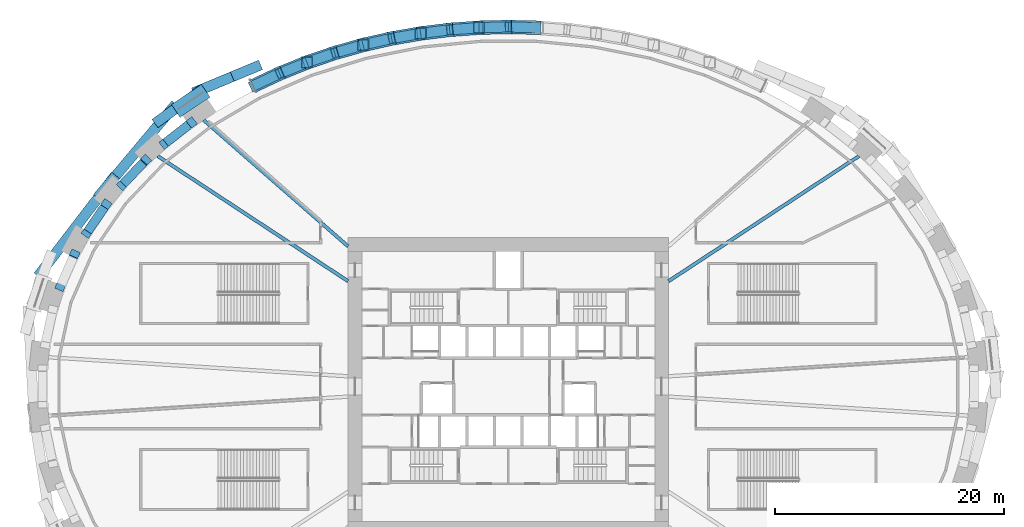
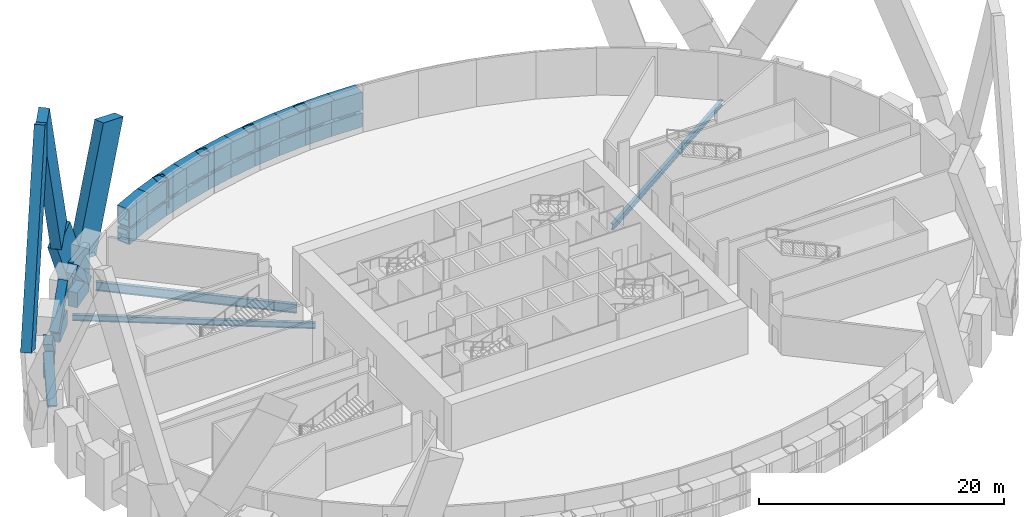
# One storey, part 3 of 16: 43 members, 6 beams.
"""IFC4 building model written with IfcOpenShell, lengths in metres."""

from ifc_helpers import new_model, si_unit, direction, frame, origin, origin_2d, place, context, subcontext, project, spatial, rectangle, hollow_rectangle, i_section, extrude, source, transform, mapped, material, material_profile, profile_set, type_object, element, save


model = new_model("IFC4")

# Units and contexts
model_context = context("Model", 3, precision=1e-05, world=origin(), true_north=direction((0.0, 1.0)))
body_context = subcontext(model_context, "Body", "Model", "MODEL_VIEW")
ifc_project = project(units=[si_unit("LENGTHUNIT", "METRE"), si_unit("AREAUNIT", "SQUARE_METRE"), si_unit("VOLUMEUNIT", "CUBIC_METRE"), si_unit("PLANEANGLEUNIT", "RADIAN"), si_unit("MASSUNIT", "GRAM", prefix="KILO")], contexts=[model_context])

# Site, building, storey
site_placement = place(None, origin())
site = spatial("IfcSite", under=ifc_project, at=site_placement, CompositionType="ELEMENT")
building_placement = place(site_placement, origin())
building = spatial("IfcBuilding", under=site, at=building_placement, Name="Embergate Tower", CompositionType="ELEMENT")
storey_placement = place(building_placement, frame((0.0, 0.0, 24.0)))
storey = spatial("IfcBuildingStorey", under=building, at=storey_placement, Name="L02", CompositionType="ELEMENT", Elevation=24.0)

# Beams
ifc_material_1 = material(Name="Concrete C70", Category="concrete")
ifc_material_profile_1 = material_profile(ifc_material_1, rectangle(XDim=0.800048828125, YDim=1.5, at=origin_2d()), Name="RC 800x1500")
ifc_profile_set_1 = profile_set([ifc_material_profile_1], Name="Concrete C70")
beam_type_1 = type_object("IfcBeamType", Name="Spandrel beam RC 800x1500 C70", PredefinedType="BEAM", material=ifc_profile_set_1)
shared_shape_1 = source(origin(), body_context, "Body", "SweptSolid", [
    extrude(rectangle(XDim=0.800048828125, YDim=1.5, at=origin_2d()), origin(), (0.0, 0.0, 1.0), 2.583251953125),
])
beam_1_placement = place(storey_placement, frame((-35.291015625, 15.675048828125, 0.0), z_axis=(-0.562418587306, -0.826852666836, 0.0), x_axis=(0.826852666836, -0.562418587306, 0.0)))
element("IfcBeam", 1, at=beam_1_placement, inside=storey, type_object=beam_type_1, Name="SPN-L02-18", PredefinedType="BEAM", context=body_context, shape_type="MappedRepresentation", body=[
    mapped(shared_shape_1, transform((0.0, 0.0, 0.0))),
])
shared_shape_2 = source(origin(), body_context, "Body", "SweptSolid", [
    extrude(rectangle(XDim=0.800048828125, YDim=1.5, at=origin_2d()), origin(), (0.0, 0.0, 1.0), 2.577392578125),
])
beam_2_placement = place(storey_placement, frame((-31.87890625, 19.56298828125, 0.0), z_axis=(-0.68985145899, -0.723950940692, 0.0), x_axis=(0.723950940692, -0.68985145899, 0.0)))
element("IfcBeam", 2, at=beam_2_placement, inside=storey, type_object=beam_type_1, Name="SPN-L02-17", PredefinedType="BEAM", context=body_context, shape_type="MappedRepresentation", body=[
    mapped(shared_shape_2, transform((0.0, 0.0, 0.0))),
])
shared_shape_3 = source(origin(), body_context, "Body", "SweptSolid", [
    extrude(rectangle(XDim=0.800048828125, YDim=1.5, at=origin_2d()), origin(), (0.0, 0.0, 1.0), 2.568359375),
])
beam_3_placement = place(storey_placement, frame((-27.9130859375, 22.873046875, 0.0), z_axis=(-0.788378750505, -0.615190170396, 0.0), x_axis=(0.615190170396, -0.788378750505, 0.0)))
element("IfcBeam", 3, at=beam_3_placement, inside=storey, type_object=beam_type_1, Name="SPN-L02-16", PredefinedType="BEAM", context=body_context, shape_type="MappedRepresentation", body=[
    mapped(shared_shape_3, transform((0.0, 0.0, 0.0))),
])
ifc_material_2 = material(Name="Steel Q355B", Category="steel")
ifc_material_profile_2 = material_profile(ifc_material_2, i_section(OverallWidth=0.300048828125, OverallDepth=0.587890625, WebThickness=0.011962890625, FlangeThickness=0.02001953125, FilletRadius=0.012939453125, at=origin_2d()), Name="HM 588x300x12x20")
ifc_profile_set_2 = profile_set([ifc_material_profile_2], Name="Steel Q355 grade B")
beam_type_2 = type_object("IfcBeamType", Name="Plant girder HM 588x300x12x20", PredefinedType="BEAM", material=ifc_profile_set_2)
shared_shape_4 = source(origin(), body_context, "Body", "SweptSolid", [
    extrude(i_section(OverallWidth=0.300048828125, OverallDepth=0.587890625, WebThickness=0.011962890625, FlangeThickness=0.02001953125, FilletRadius=0.012939453125, at=origin_2d()), origin(), (0.0, 0.0, 1.0), 19.915283203125),
])
for number, where, z_axis, x_axis, name in (
    (4, (30.64404296875, 20.134033203125, -0.7939453125), (-0.835739557049, -0.549126026322, 0.0), (0.549126026322, -0.835739557049, 0.0), "GIR-L02-04"),
    (5, (-30.64404296875, 20.134033203125, -0.7939453125), (0.835739557049, -0.549126026322, 0.0), (0.549126026322, 0.835739557049, 0.0), "GIR-L02-17"),
):
    element("IfcBeam", number, at=place(storey_placement, frame(where, z_axis=z_axis, x_axis=x_axis)), inside=storey, type_object=beam_type_2, Name=name, PredefinedType="BEAM", context=body_context, shape_type="MappedRepresentation", body=[
        mapped(shared_shape_4, transform((0.0, 0.0, 0.0))),
    ])
ifc_material_profile_3 = material_profile(ifc_material_2, i_section(OverallWidth=0.300048828125, OverallDepth=0.89990234375, WebThickness=0.01611328125, FlangeThickness=0.028076171875, FilletRadius=0.028076171875, at=origin_2d()), Name="HN 900x300x16x28")
ifc_profile_set_3 = profile_set([ifc_material_profile_3], Name="Steel Q355 grade B")
beam_type_3 = type_object("IfcBeamType", Name="Plant girder HN 900x300x16x28", PredefinedType="BEAM", material=ifc_profile_set_3)
shared_shape_5 = source(origin(), body_context, "Body", "SweptSolid", [
    extrude(i_section(OverallWidth=0.300048828125, OverallDepth=0.89990234375, WebThickness=0.01611328125, FlangeThickness=0.028076171875, FilletRadius=0.028076171875, at=origin_2d()), origin(), (0.0, 0.0, 1.0), 16.760498046875),
])
beam_4_placement = place(storey_placement, frame((-26.616943359375, 23.27587890625, -0.949951171875), z_axis=(0.752779686922, -0.658272544587, 0.0), x_axis=(0.658272544587, 0.752779686922, 0.0)))
element("IfcBeam", 6, at=beam_4_placement, inside=storey, type_object=beam_type_3, Name="GIR-L02-16", PredefinedType="BEAM", context=body_context, shape_type="MappedRepresentation", body=[
    mapped(shared_shape_5, transform((0.0, 0.0, 0.0))),
])

# Members
ifc_material_3 = material(Name="Steel Q420GJD-Z25", Category="steel")
ifc_material_profile_4 = material_profile(ifc_material_3, hollow_rectangle(XDim=1.199951171875, YDim=1.39990234375, WallThickness=0.080078125, at=origin_2d()), Name="BOX 1400x1200x80")
ifc_profile_set_4 = profile_set([ifc_material_profile_4], Name="Steel Q420 grade GJD-Z25")
member_type_1 = type_object("IfcMemberType", Name="Transfer truss bottom chord BOX 1400x1200x80", PredefinedType="CHORD", material=ifc_profile_set_4)
shared_shape_6 = source(origin(), body_context, "Body", "SweptSolid", [
    extrude(hollow_rectangle(XDim=1.199951171875, YDim=1.39990234375, WallThickness=0.080078125, at=origin_2d()), origin(), (0.0, 0.0, 1.0), 2.85400390625),
])
member_1_placement = place(storey_placement, frame((-19.716064453125, 27.47412109375, 0.699951171875), z_axis=(-0.904358715967, -0.426773139799, 0.0), x_axis=(0.426773139799, -0.904358715967, 0.0)))
element("IfcMember", 7, at=member_1_placement, inside=storey, type_object=member_type_1, Name="TRF-N-BC17", PredefinedType="CHORD", context=body_context, shape_type="MappedRepresentation", body=[
    mapped(shared_shape_6, transform((0.0, 0.0, 0.0))),
])
ifc_material_profile_5 = material_profile(ifc_material_3, hollow_rectangle(XDim=1.199951171875, YDim=1.800048828125, WallThickness=0.090087890625, at=origin_2d()), Name="BOX 1800x1200x90")
ifc_profile_set_5 = profile_set([ifc_material_profile_5], Name="Steel Q420 grade GJD-Z25")
member_type_2 = type_object("IfcMemberType", Name="Transfer truss top chord BOX 1800x1200x90", PredefinedType="CHORD", material=ifc_profile_set_5)
shared_shape_7 = source(origin(), body_context, "Body", "SweptSolid", [
    extrude(hollow_rectangle(XDim=1.199951171875, YDim=1.800048828125, WallThickness=0.090087890625, at=origin_2d()), origin(), (0.0, 0.0, 1.0), 2.85400390625),
])
member_2_placement = place(storey_placement, frame((-19.716064453125, 27.47412109375, 2.60009765625), z_axis=(-0.904358715967, -0.426773139799, 0.0), x_axis=(0.426773139799, -0.904358715967, 0.0)))
element("IfcMember", 8, at=member_2_placement, inside=storey, type_object=member_type_2, Name="TRF-N-TC17", PredefinedType="CHORD", context=body_context, shape_type="MappedRepresentation", body=[
    mapped(shared_shape_7, transform((0.0, 0.0, 0.0))),
])
shared_shape_8 = source(origin(), body_context, "Body", "SweptSolid", [
    extrude(hollow_rectangle(XDim=1.199951171875, YDim=1.39990234375, WallThickness=0.080078125, at=origin_2d()), origin(), (0.0, 0.0, 1.0), 3.184814453125),
])
member_3_placement = place(storey_placement, frame((-17.31201171875, 28.427001953125, 0.699951171875), z_axis=(-0.927175792195, -0.374626547868, 0.0), x_axis=(0.374626547868, -0.927175792195, 0.0)))
element("IfcMember", 9, at=member_3_placement, inside=storey, type_object=member_type_1, Name="TRF-N-BC16", PredefinedType="CHORD", context=body_context, shape_type="MappedRepresentation", body=[
    mapped(shared_shape_8, transform((0.0, 0.0, 0.0))),
])
shared_shape_9 = source(origin(), body_context, "Body", "SweptSolid", [
    extrude(hollow_rectangle(XDim=1.199951171875, YDim=1.800048828125, WallThickness=0.090087890625, at=origin_2d()), origin(), (0.0, 0.0, 1.0), 3.184814453125),
])
member_4_placement = place(storey_placement, frame((-17.31201171875, 28.427001953125, 2.60009765625), z_axis=(-0.927175792195, -0.374626547868, 0.0), x_axis=(0.374626547868, -0.927175792195, 0.0)))
element("IfcMember", 10, at=member_4_placement, inside=storey, type_object=member_type_2, Name="TRF-N-TC16", PredefinedType="CHORD", context=body_context, shape_type="MappedRepresentation", body=[
    mapped(shared_shape_9, transform((0.0, 0.0, 0.0))),
])
shared_shape_10 = source(origin(), body_context, "Body", "SweptSolid", [
    extrude(hollow_rectangle(XDim=1.199951171875, YDim=1.39990234375, WallThickness=0.080078125, at=origin_2d()), origin(), (0.0, 0.0, 1.0), 3.15478515625),
])
member_5_placement = place(storey_placement, frame((-14.887939453125, 29.236083984375, 0.699951171875), z_axis=(-0.946502130623, -0.322697562317, 0.0), x_axis=(0.322697562317, -0.946502130623, 0.0)))
element("IfcMember", 11, at=member_5_placement, inside=storey, type_object=member_type_1, Name="TRF-N-BC15", PredefinedType="CHORD", context=body_context, shape_type="MappedRepresentation", body=[
    mapped(shared_shape_10, transform((0.0, 0.0, 0.0))),
])
shared_shape_11 = source(origin(), body_context, "Body", "SweptSolid", [
    extrude(hollow_rectangle(XDim=1.199951171875, YDim=1.800048828125, WallThickness=0.090087890625, at=origin_2d()), origin(), (0.0, 0.0, 1.0), 3.15478515625),
])
member_6_placement = place(storey_placement, frame((-14.887939453125, 29.236083984375, 2.60009765625), z_axis=(-0.946502130623, -0.322697562317, 0.0), x_axis=(0.322697562317, -0.946502130623, 0.0)))
element("IfcMember", 12, at=member_6_placement, inside=storey, type_object=member_type_2, Name="TRF-N-TC15", PredefinedType="CHORD", context=body_context, shape_type="MappedRepresentation", body=[
    mapped(shared_shape_11, transform((0.0, 0.0, 0.0))),
])
shared_shape_12 = source(origin(), body_context, "Body", "SweptSolid", [
    extrude(hollow_rectangle(XDim=1.199951171875, YDim=1.39990234375, WallThickness=0.080078125, at=origin_2d()), origin(), (0.0, 0.0, 1.0), 3.17919921875),
])
member_7_placement = place(storey_placement, frame((-12.402099609375, 29.923095703125, 0.699951171875), z_axis=(-0.962164650456, -0.272468687032, 0.0), x_axis=(0.272468687032, -0.962164650456, 0.0)))
element("IfcMember", 13, at=member_7_placement, inside=storey, type_object=member_type_1, Name="TRF-N-BC14", PredefinedType="CHORD", context=body_context, shape_type="MappedRepresentation", body=[
    mapped(shared_shape_12, transform((0.0, 0.0, 0.0))),
])
shared_shape_13 = source(origin(), body_context, "Body", "SweptSolid", [
    extrude(hollow_rectangle(XDim=1.199951171875, YDim=1.800048828125, WallThickness=0.090087890625, at=origin_2d()), origin(), (0.0, 0.0, 1.0), 3.17919921875),
])
member_8_placement = place(storey_placement, frame((-12.402099609375, 29.923095703125, 2.60009765625), z_axis=(-0.962164650456, -0.272468687032, 0.0), x_axis=(0.272468687032, -0.962164650456, 0.0)))
element("IfcMember", 14, at=member_8_placement, inside=storey, type_object=member_type_2, Name="TRF-N-TC14", PredefinedType="CHORD", context=body_context, shape_type="MappedRepresentation", body=[
    mapped(shared_shape_13, transform((0.0, 0.0, 0.0))),
])
shared_shape_14 = source(origin(), body_context, "Body", "SweptSolid", [
    extrude(hollow_rectangle(XDim=1.199951171875, YDim=1.39990234375, WallThickness=0.080078125, at=origin_2d()), origin(), (0.0, 0.0, 1.0), 3.156982421875),
])
member_9_placement = place(storey_placement, frame((-9.905029296875, 30.472900390625, 0.699951171875), z_axis=(-0.975251981283, -0.221096298033, 0.0), x_axis=(0.221096298033, -0.975251981283, 0.0)))
element("IfcMember", 15, at=member_9_placement, inside=storey, type_object=member_type_1, Name="TRF-N-BC13", PredefinedType="CHORD", context=body_context, shape_type="MappedRepresentation", body=[
    mapped(shared_shape_14, transform((0.0, 0.0, 0.0))),
])
shared_shape_15 = source(origin(), body_context, "Body", "SweptSolid", [
    extrude(hollow_rectangle(XDim=1.199951171875, YDim=1.800048828125, WallThickness=0.090087890625, at=origin_2d()), origin(), (0.0, 0.0, 1.0), 3.156982421875),
])
member_10_placement = place(storey_placement, frame((-9.905029296875, 30.472900390625, 2.60009765625), z_axis=(-0.975251981283, -0.221096298033, 0.0), x_axis=(0.221096298033, -0.975251981283, 0.0)))
element("IfcMember", 16, at=member_10_placement, inside=storey, type_object=member_type_2, Name="TRF-N-TC13", PredefinedType="CHORD", context=body_context, shape_type="MappedRepresentation", body=[
    mapped(shared_shape_15, transform((0.0, 0.0, 0.0))),
])
shared_shape_16 = source(origin(), body_context, "Body", "SweptSolid", [
    extrude(hollow_rectangle(XDim=1.199951171875, YDim=1.39990234375, WallThickness=0.080078125, at=origin_2d()), origin(), (0.0, 0.0, 1.0), 3.17431640625),
])
member_11_placement = place(storey_placement, frame((-7.366943359375, 30.90087890625, 0.699951171875), z_axis=(-0.985100907682, -0.17197732898, 0.0), x_axis=(0.17197732898, -0.985100907682, 0.0)))
element("IfcMember", 17, at=member_11_placement, inside=storey, type_object=member_type_1, Name="TRF-N-BC12", PredefinedType="CHORD", context=body_context, shape_type="MappedRepresentation", body=[
    mapped(shared_shape_16, transform((0.0, 0.0, 0.0))),
])
shared_shape_17 = source(origin(), body_context, "Body", "SweptSolid", [
    extrude(hollow_rectangle(XDim=1.199951171875, YDim=1.800048828125, WallThickness=0.090087890625, at=origin_2d()), origin(), (0.0, 0.0, 1.0), 3.17431640625),
])
member_12_placement = place(storey_placement, frame((-7.366943359375, 30.90087890625, 2.60009765625), z_axis=(-0.985100907682, -0.17197732898, 0.0), x_axis=(0.17197732898, -0.985100907682, 0.0)))
element("IfcMember", 18, at=member_12_placement, inside=storey, type_object=member_type_2, Name="TRF-N-TC12", PredefinedType="CHORD", context=body_context, shape_type="MappedRepresentation", body=[
    mapped(shared_shape_17, transform((0.0, 0.0, 0.0))),
])
shared_shape_18 = source(origin(), body_context, "Body", "SweptSolid", [
    extrude(hollow_rectangle(XDim=1.199951171875, YDim=1.39990234375, WallThickness=0.080078125, at=origin_2d()), origin(), (0.0, 0.0, 1.0), 3.15966796875),
])
member_13_placement = place(storey_placement, frame((-4.824951171875, 31.198974609375, 0.699951171875), z_axis=(-0.992472771118, -0.122465499589, 0.0), x_axis=(0.122465499589, -0.992472771118, 0.0)))
element("IfcMember", 19, at=member_13_placement, inside=storey, type_object=member_type_1, Name="TRF-N-BC11", PredefinedType="CHORD", context=body_context, shape_type="MappedRepresentation", body=[
    mapped(shared_shape_18, transform((0.0, 0.0, 0.0))),
])
shared_shape_19 = source(origin(), body_context, "Body", "SweptSolid", [
    extrude(hollow_rectangle(XDim=1.199951171875, YDim=1.800048828125, WallThickness=0.090087890625, at=origin_2d()), origin(), (0.0, 0.0, 1.0), 3.15966796875),
])
member_14_placement = place(storey_placement, frame((-4.824951171875, 31.198974609375, 2.60009765625), z_axis=(-0.992472771118, -0.122465499589, 0.0), x_axis=(0.122465499589, -0.992472771118, 0.0)))
element("IfcMember", 20, at=member_14_placement, inside=storey, type_object=member_type_2, Name="TRF-N-TC11", PredefinedType="CHORD", context=body_context, shape_type="MappedRepresentation", body=[
    mapped(shared_shape_19, transform((0.0, 0.0, 0.0))),
])
shared_shape_20 = source(origin(), body_context, "Body", "SweptSolid", [
    extrude(hollow_rectangle(XDim=1.199951171875, YDim=1.39990234375, WallThickness=0.080078125, at=origin_2d()), origin(), (0.0, 0.0, 1.0), 3.167724609375),
])
member_15_placement = place(storey_placement, frame((-2.262939453125, 31.3720703125, 0.699951171875), z_axis=(-0.997310277144, -0.0732953689, 0.0), x_axis=(0.0732953689, -0.997310277144, 0.0)))
element("IfcMember", 21, at=member_15_placement, inside=storey, type_object=member_type_1, Name="TRF-N-BC10", PredefinedType="CHORD", context=body_context, shape_type="MappedRepresentation", body=[
    mapped(shared_shape_20, transform((0.0, 0.0, 0.0))),
])
shared_shape_21 = source(origin(), body_context, "Body", "SweptSolid", [
    extrude(hollow_rectangle(XDim=1.199951171875, YDim=1.800048828125, WallThickness=0.090087890625, at=origin_2d()), origin(), (0.0, 0.0, 1.0), 3.167724609375),
])
member_16_placement = place(storey_placement, frame((-2.262939453125, 31.3720703125, 2.60009765625), z_axis=(-0.997310277144, -0.0732953689, 0.0), x_axis=(0.0732953689, -0.997310277144, 0.0)))
element("IfcMember", 22, at=member_16_placement, inside=storey, type_object=member_type_2, Name="TRF-N-TC10", PredefinedType="CHORD", context=body_context, shape_type="MappedRepresentation", body=[
    mapped(shared_shape_21, transform((0.0, 0.0, 0.0))),
])
shared_shape_22 = source(origin(), body_context, "Body", "SweptSolid", [
    extrude(hollow_rectangle(XDim=1.199951171875, YDim=1.39990234375, WallThickness=0.080078125, at=origin_2d()), origin(), (0.0, 0.0, 1.0), 3.1630859375),
])
for number, where, z_axis, x_axis, name in (
    (23, (2.862060546875, 31.343017578125, 0.699951171875), (-0.999704386113, 0.024313378754, 0.0), (-0.024313378754, -0.999704386113, 0.0), "TRF-N-BC08"),
    (24, (0.300048828125, 31.419921875, 0.699951171875), (-0.999704386113, -0.024313378754, 0.0), (0.024313378754, -0.999704386113, 0.0), "TRF-N-BC09"),
):
    element("IfcMember", number, at=place(storey_placement, frame(where, z_axis=z_axis, x_axis=x_axis)), inside=storey, type_object=member_type_1, Name=name, PredefinedType="CHORD", context=body_context, shape_type="MappedRepresentation", body=[
        mapped(shared_shape_22, transform((0.0, 0.0, 0.0))),
    ])
shared_shape_23 = source(origin(), body_context, "Body", "SweptSolid", [
    extrude(hollow_rectangle(XDim=1.199951171875, YDim=1.800048828125, WallThickness=0.090087890625, at=origin_2d()), origin(), (0.0, 0.0, 1.0), 3.1630859375),
])
for number, where, z_axis, x_axis, name in (
    (25, (2.862060546875, 31.343017578125, 2.60009765625), (-0.999704386113, 0.024313378754, 0.0), (-0.024313378754, -0.999704386113, 0.0), "TRF-N-TC08"),
    (26, (0.300048828125, 31.419921875, 2.60009765625), (-0.999704386113, -0.024313378754, 0.0), (0.024313378754, -0.999704386113, 0.0), "TRF-N-TC09"),
):
    element("IfcMember", number, at=place(storey_placement, frame(where, z_axis=z_axis, x_axis=x_axis)), inside=storey, type_object=member_type_2, Name=name, PredefinedType="CHORD", context=body_context, shape_type="MappedRepresentation", body=[
        mapped(shared_shape_23, transform((0.0, 0.0, 0.0))),
    ])
ifc_material_4 = material(Name="Steel Q355D", Category="steel")
ifc_material_profile_6 = material_profile(ifc_material_4, hollow_rectangle(XDim=1.0, YDim=1.0, WallThickness=0.06005859375, at=origin_2d()), Name="BOX 1000x1000x60")
ifc_profile_set_6 = profile_set([ifc_material_profile_6], Name="Steel Q355 grade D")
member_type_3 = type_object("IfcMemberType", Name="Transfer truss post BOX 1000x1000x60", PredefinedType="POST", material=ifc_profile_set_6)
shared_shape_24 = source(origin(), body_context, "Body", "SweptSolid", [
    extrude(hollow_rectangle(XDim=1.0, YDim=1.0, WallThickness=0.06005859375, at=origin_2d()), origin(), (0.0, 0.0, 1.0), 2.800048828125),
])
for number, where, z_axis, x_axis, name in (
    (27, (-2.56201171875, 31.35009765625, 0.699951171875), (0.0, 0.0, 1.0), (1.0, 0.0, 0.0), "TRF-N-PO10"),
    (28, (-7.6630859375, 30.84912109375, 0.699951171875), (0.0, 0.0, 1.0), (1.0, 0.0, 0.0), "TRF-N-PO12"),
    (29, (-12.69091796875, 29.841064453125, 0.699951171875), (0.0, 0.0, 1.0), (1.0, 0.0, 0.0), "TRF-N-PO14"),
    (30, (-17.590087890625, 28.31494140625, 0.699951171875), (0.0, 0.0, 1.0), (1.0, 0.0, 0.0), "TRF-N-PO16"),
):
    element("IfcMember", number, at=place(storey_placement, frame(where, z_axis=z_axis, x_axis=x_axis)), inside=storey, type_object=member_type_3, Name=name, PredefinedType="POST", context=body_context, shape_type="MappedRepresentation", body=[
        mapped(shared_shape_24, transform((0.0, 0.0, 0.0))),
    ])
ifc_material_profile_7 = material_profile(ifc_material_4, hollow_rectangle(XDim=0.89990234375, YDim=0.89990234375, WallThickness=0.050048828125, at=origin_2d()), Name="BOX 900x900x50")
ifc_profile_set_7 = profile_set([ifc_material_profile_7], Name="Steel Q355 grade D")
member_type_4 = type_object("IfcMemberType", Name="Transfer truss diagonal BOX 900x900x50", PredefinedType="BRACE", material=ifc_profile_set_7)
shared_shape_25 = source(origin(), body_context, "Body", "SweptSolid", [
    extrude(hollow_rectangle(XDim=0.89990234375, YDim=0.89990234375, WallThickness=0.050048828125, at=origin_2d()), origin(), (0.0, 0.0, 1.0), 3.18359375),
])
member_17_placement = place(storey_placement, frame((-19.987060546875, 27.345947265625, 2.60009765625), z_axis=(-0.725634345581, -0.342341124358, -0.596872977347), x_axis=(0.4266806336, -0.904402364499, 0.0)))
element("IfcMember", 31, at=member_17_placement, inside=storey, type_object=member_type_4, Name="TRF-N-DG17", PredefinedType="BRACE", context=body_context, shape_type="MappedRepresentation", body=[
    mapped(shared_shape_25, transform((0.0, 0.0, 0.0))),
])
shared_shape_26 = source(origin(), body_context, "Body", "SweptSolid", [
    extrude(hollow_rectangle(XDim=0.89990234375, YDim=0.89990234375, WallThickness=0.050048828125, at=origin_2d()), origin(), (0.0, 0.0, 1.0), 3.20849609375),
])
member_18_placement = place(storey_placement, frame((-17.590087890625, 28.31494140625, 0.699951171875), z_axis=(-0.747050975398, -0.302000949415, 0.592207959006), x_axis=(0.374790902419, -0.927109367585, 0.0)))
element("IfcMember", 32, at=member_18_placement, inside=storey, type_object=member_type_4, Name="TRF-N-DG16", PredefinedType="BRACE", context=body_context, shape_type="MappedRepresentation", body=[
    mapped(shared_shape_26, transform((0.0, 0.0, 0.0))),
])
shared_shape_27 = source(origin(), body_context, "Body", "SweptSolid", [
    extrude(hollow_rectangle(XDim=0.89990234375, YDim=0.89990234375, WallThickness=0.050048828125, at=origin_2d()), origin(), (0.0, 0.0, 1.0), 3.183837890625),
])
member_19_placement = place(storey_placement, frame((-15.172119140625, 29.138916015625, 2.60009765625), z_axis=(-0.759479434261, -0.258808874256, -0.596832435062), x_axis=(0.322557168561, -0.946549984422, 0.0)))
element("IfcMember", 33, at=member_19_placement, inside=storey, type_object=member_type_4, Name="TRF-N-DG15", PredefinedType="BRACE", context=body_context, shape_type="MappedRepresentation", body=[
    mapped(shared_shape_27, transform((0.0, 0.0, 0.0))),
])
shared_shape_28 = source(origin(), body_context, "Body", "SweptSolid", [
    extrude(hollow_rectangle(XDim=0.89990234375, YDim=0.89990234375, WallThickness=0.050048828125, at=origin_2d()), origin(), (0.0, 0.0, 1.0), 3.203125),
])
member_20_placement = place(storey_placement, frame((-12.69091796875, 29.841064453125, 0.699951171875), z_axis=(-0.774621976013, -0.219208186856, 0.593218817211), x_axis=(0.272294349332, -0.962214002872, 0.0)))
element("IfcMember", 34, at=member_20_placement, inside=storey, type_object=member_type_4, Name="TRF-N-DG14", PredefinedType="BRACE", context=body_context, shape_type="MappedRepresentation", body=[
    mapped(shared_shape_28, transform((0.0, 0.0, 0.0))),
])
shared_shape_29 = source(origin(), body_context, "Body", "SweptSolid", [
    extrude(hollow_rectangle(XDim=0.89990234375, YDim=0.89990234375, WallThickness=0.050048828125, at=origin_2d()), origin(), (0.0, 0.0, 1.0), 3.185302734375),
])
member_21_placement = place(storey_placement, frame((-10.197998046875, 30.406982421875, 2.60009765625), z_axis=(-0.782658403061, -0.177671352296, -0.596555709629), x_axis=(0.221377552886, -0.97518817624, 0.0)))
element("IfcMember", 35, at=member_21_placement, inside=storey, type_object=member_type_4, Name="TRF-N-DG13", PredefinedType="BRACE", context=body_context, shape_type="MappedRepresentation", body=[
    mapped(shared_shape_29, transform((0.0, 0.0, 0.0))),
])
shared_shape_30 = source(origin(), body_context, "Body", "SweptSolid", [
    extrude(hollow_rectangle(XDim=0.89990234375, YDim=0.89990234375, WallThickness=0.050048828125, at=origin_2d()), origin(), (0.0, 0.0, 1.0), 3.19873046875),
])
member_22_placement = place(storey_placement, frame((-7.6630859375, 30.84912109375, 0.699951171875), z_axis=(-0.792476520346, -0.138223536391, 0.594033011447), x_axis=(0.171825645618, -0.985127376286, 0.0)))
element("IfcMember", 36, at=member_22_placement, inside=storey, type_object=member_type_4, Name="TRF-N-DG12", PredefinedType="BRACE", context=body_context, shape_type="MappedRepresentation", body=[
    mapped(shared_shape_30, transform((0.0, 0.0, 0.0))),
])
shared_shape_31 = source(origin(), body_context, "Body", "SweptSolid", [
    extrude(hollow_rectangle(XDim=0.89990234375, YDim=0.89990234375, WallThickness=0.050048828125, at=origin_2d()), origin(), (0.0, 0.0, 1.0), 3.1875),
])
member_23_placement = place(storey_placement, frame((-5.123046875, 31.162109375, 2.60009765625), z_axis=(-0.796868705357, -0.098191626323, -0.596119678373), x_axis=(0.122296880814, -0.992493563175, 0.0)))
element("IfcMember", 37, at=member_23_placement, inside=storey, type_object=member_type_4, Name="TRF-N-DG11", PredefinedType="BRACE", context=body_context, shape_type="MappedRepresentation", body=[
    mapped(shared_shape_31, transform((0.0, 0.0, 0.0))),
])
shared_shape_32 = source(origin(), body_context, "Body", "SweptSolid", [
    extrude(hollow_rectangle(XDim=0.89990234375, YDim=0.89990234375, WallThickness=0.050048828125, at=origin_2d()), origin(), (0.0, 0.0, 1.0), 3.194580078125),
])
member_24_placement = place(storey_placement, frame((-2.56201171875, 31.35009765625, 0.699951171875), z_axis=(-0.801702703842, -0.058847576926, 0.594819079504), x_axis=(0.073206287076, -0.997316820039, 0.0)))
element("IfcMember", 38, at=member_24_placement, inside=storey, type_object=member_type_4, Name="TRF-N-DG10", PredefinedType="BRACE", context=body_context, shape_type="MappedRepresentation", body=[
    mapped(shared_shape_32, transform((0.0, 0.0, 0.0))),
])
shared_shape_33 = source(origin(), body_context, "Body", "SweptSolid", [
    extrude(hollow_rectangle(XDim=0.89990234375, YDim=0.89990234375, WallThickness=0.050048828125, at=origin_2d()), origin(), (0.0, 0.0, 1.0), 3.1904296875),
])
for number, where, z_axis, x_axis, name in (
    (39, (2.56201171875, 31.35009765625, 0.699951171875), (-0.803046608878, 0.019743284266, 0.595589075367), (-0.024578050489, -0.999697914089, 0.0), "TRF-N-DG08"),
    (40, (0.0, 31.4130859375, 2.60009765625), (-0.803046608878, -0.019743284266, -0.595589075367), (0.024578050489, -0.999697914089, 0.0), "TRF-N-DG09"),
):
    element("IfcMember", number, at=place(storey_placement, frame(where, z_axis=z_axis, x_axis=x_axis)), inside=storey, type_object=member_type_4, Name=name, PredefinedType="BRACE", context=body_context, shape_type="MappedRepresentation", body=[
        mapped(shared_shape_33, transform((0.0, 0.0, 0.0))),
    ])
ifc_material_profile_8 = material_profile(ifc_material_1, rectangle(XDim=0.800048828125, YDim=0.800048828125, at=origin_2d()), Name="RC 800x800")
ifc_profile_set_8 = profile_set([ifc_material_profile_8], Name="Concrete C70")
member_type_5 = type_object("IfcMemberType", Name="Belt ring diagonal RC 800x800", PredefinedType="BRACE", material=ifc_profile_set_8)
shared_shape_34 = source(origin(), body_context, "Body", "SweptSolid", [
    extrude(rectangle(XDim=0.800048828125, YDim=0.800048828125, at=origin_2d()), origin(), (0.0, 0.0, 1.0), 4.48681640625),
])
member_25_placement = place(storey_placement, frame((-39.153076171875, 8.69091796875, 0.2080078125), z_axis=(0.284201174876, 0.647900323425, 0.706721206067), x_axis=(-0.915770340251, 0.401702232899, 0.0)))
element("IfcMember", 41, at=member_25_placement, inside=storey, type_object=member_type_5, Name="BLT-L02-19", PredefinedType="BRACE", context=body_context, shape_type="MappedRepresentation", body=[
    mapped(shared_shape_34, transform((0.0, 0.0, 0.0))),
])
shared_shape_35 = source(origin(), body_context, "Body", "SweptSolid", [
    extrude(rectangle(XDim=0.800048828125, YDim=0.800048828125, at=origin_2d()), origin(), (0.0, 0.0, 1.0), 4.419677734375),
])
member_26_placement = place(storey_placement, frame((-35.092041015625, 15.967041015625, 0.080078125), z_axis=(-0.397071099663, -0.58378511147, 0.708187464898), x_axis=(0.826862464884, -0.562404182209, 0.0)))
element("IfcMember", 42, at=member_26_placement, inside=storey, type_object=member_type_5, Name="BLT-L02-18", PredefinedType="BRACE", context=body_context, shape_type="MappedRepresentation", body=[
    mapped(shared_shape_35, transform((0.0, 0.0, 0.0))),
])
shared_shape_36 = source(origin(), body_context, "Body", "SweptSolid", [
    extrude(rectangle(XDim=0.800048828125, YDim=0.800048828125, at=origin_2d()), origin(), (0.0, 0.0, 1.0), 4.3896484375),
])
member_27_placement = place(storey_placement, frame((-27.635986328125, 23.089111328125, 0.077880859375), z_axis=(-0.554726152851, -0.432868823705, 0.710565603451), x_axis=(0.615192978078, -0.788376559598, 0.0)))
element("IfcMember", 43, at=member_27_placement, inside=storey, type_object=member_type_5, Name="BLT-L02-16", PredefinedType="BRACE", context=body_context, shape_type="MappedRepresentation", body=[
    mapped(shared_shape_36, transform((0.0, 0.0, 0.0))),
])
shared_shape_37 = source(origin(), body_context, "Body", "SweptSolid", [
    extrude(rectangle(XDim=0.800048828125, YDim=0.800048828125, at=origin_2d()), origin(), (0.0, 0.0, 1.0), 4.39599609375),
])
member_28_placement = place(storey_placement, frame((-33.77392578125, 17.573974609375, 0.263916015625), z_axis=(0.48635011243, 0.510509333499, 0.709114792223), x_axis=(-0.724031150672, 0.689767274417, 0.0)))
element("IfcMember", 44, at=member_28_placement, inside=storey, type_object=member_type_5, Name="BLT-L02-17", PredefinedType="BRACE", context=body_context, shape_type="MappedRepresentation", body=[
    mapped(shared_shape_37, transform((0.0, 0.0, 0.0))),
])
ifc_material_profile_9 = material_profile(ifc_material_1, rectangle(XDim=1.35009765625, YDim=3.14990234375, at=origin_2d()), Name="RC 1350x3150")
ifc_profile_set_9 = profile_set([ifc_material_profile_9], Name="Concrete C70")
member_type_6 = type_object("IfcMemberType", Name="Lattice node block RC 1350x3150", PredefinedType="POST", material=ifc_profile_set_9)
shared_shape_38 = source(origin(), body_context, "Body", "SweptSolid", [
    extrude(rectangle(XDim=1.35009765625, YDim=3.14990234375, at=origin_2d()), origin(), (0.0, 0.0, 1.0), 3.64990234375),
])
member_29_placement = place(storey_placement, frame((-27.7509765625, 24.9541015625, -1.824951171875), z_axis=(0.0, 0.0, 1.0), x_axis=(-0.560393279442, 0.828226643109, 0.0)))
element("IfcMember", 45, at=member_29_placement, inside=storey, type_object=member_type_6, Name="NOD-L02-16", PredefinedType="POST", context=body_context, shape_type="MappedRepresentation", body=[
    mapped(shared_shape_38, transform((0.0, 0.0, 0.0))),
])
ifc_material_profile_10 = material_profile(ifc_material_1, rectangle(XDim=0.89990234375, YDim=2.800048828125, at=origin_2d()), Name="RC 900x2800")
ifc_profile_set_10 = profile_set([ifc_material_profile_10], Name="Concrete C70")
member_type_7 = type_object("IfcMemberType", Name="Lattice diagonal terracotta-faced RC 900x2800", PredefinedType="BRACE", material=ifc_profile_set_10)
shared_shape_39 = source(origin(), body_context, "Body", "SweptSolid", [
    extrude(rectangle(XDim=0.89990234375, YDim=2.800048828125, at=origin_2d()), origin(), (0.0, 0.0, 1.0), 5.56396484375),
])
member_30_placement = place(storey_placement, frame((-27.876953125, 25.139892578125, 0.0), z_axis=(-0.355509144561, -0.257000377647, 0.898645677686), x_axis=(0.585855703056, -0.810415384354, 0.0)))
element("IfcMember", 46, at=member_30_placement, inside=storey, type_object=member_type_7, Name="BRC-L02-16-18-S00", PredefinedType="BRACE", context=body_context, shape_type="MappedRepresentation", body=[
    mapped(shared_shape_39, transform((0.0, 0.0, 0.0))),
])
shared_shape_40 = source(origin(), body_context, "Body", "SweptSolid", [
    extrude(rectangle(XDim=0.89990234375, YDim=2.800048828125, at=origin_2d()), origin(), (0.0, 0.0, 1.0), 18.67431640625),
])
member_31_placement = place(storey_placement, frame((-29.85498046875, 23.7099609375, 5.0), z_axis=(-0.280547723056, -0.334581170066, 0.899637935908), x_axis=(0.766269053191, -0.642519834808, 0.0)))
element("IfcMember", 47, at=member_31_placement, inside=storey, type_object=member_type_7, Name="BRC-L02-16-18-S01", PredefinedType="BRACE", context=body_context, shape_type="MappedRepresentation", body=[
    mapped(shared_shape_40, transform((0.0, 0.0, 0.0))),
])
shared_shape_41 = source(origin(), body_context, "Body", "SweptSolid", [
    extrude(rectangle(XDim=0.89990234375, YDim=2.800048828125, at=origin_2d()), origin(), (0.0, 0.0, 1.0), 18.873779296875),
])
member_32_placement = place(storey_placement, frame((-40.322998046875, 10.633056640625, 5.0), z_axis=(0.277052065112, 0.361818251623, 0.890129038966), x_axis=(-0.79396851705, 0.607958875199, 0.0)))
element("IfcMember", 48, at=member_32_placement, inside=storey, type_object=member_type_7, Name="BRC-L02-20-18-S01", PredefinedType="BRACE", context=body_context, shape_type="MappedRepresentation", body=[
    mapped(shared_shape_41, transform((0.0, 0.0, 0.0))),
])
shared_shape_42 = source(origin(), body_context, "Body", "SweptSolid", [
    extrude(rectangle(XDim=0.89990234375, YDim=2.800048828125, at=origin_2d()), origin(), (0.0, 0.0, 1.0), 12.39697265625),
])
member_33_placement = place(storey_placement, frame((-26.27587890625, 26.172119140625, 0.0), z_axis=(0.273841300916, 0.113888834462, 0.955007997505), x_axis=(-0.384007067703, 0.923330153279, 0.0)))
element("IfcMember", 49, at=member_33_placement, inside=storey, type_object=member_type_7, Name="BRP-N-1-00", PredefinedType="BRACE", context=body_context, shape_type="MappedRepresentation", body=[
    mapped(shared_shape_42, transform((0.0, 0.0, 0.0))),
])

save(model, "model.ifc")
